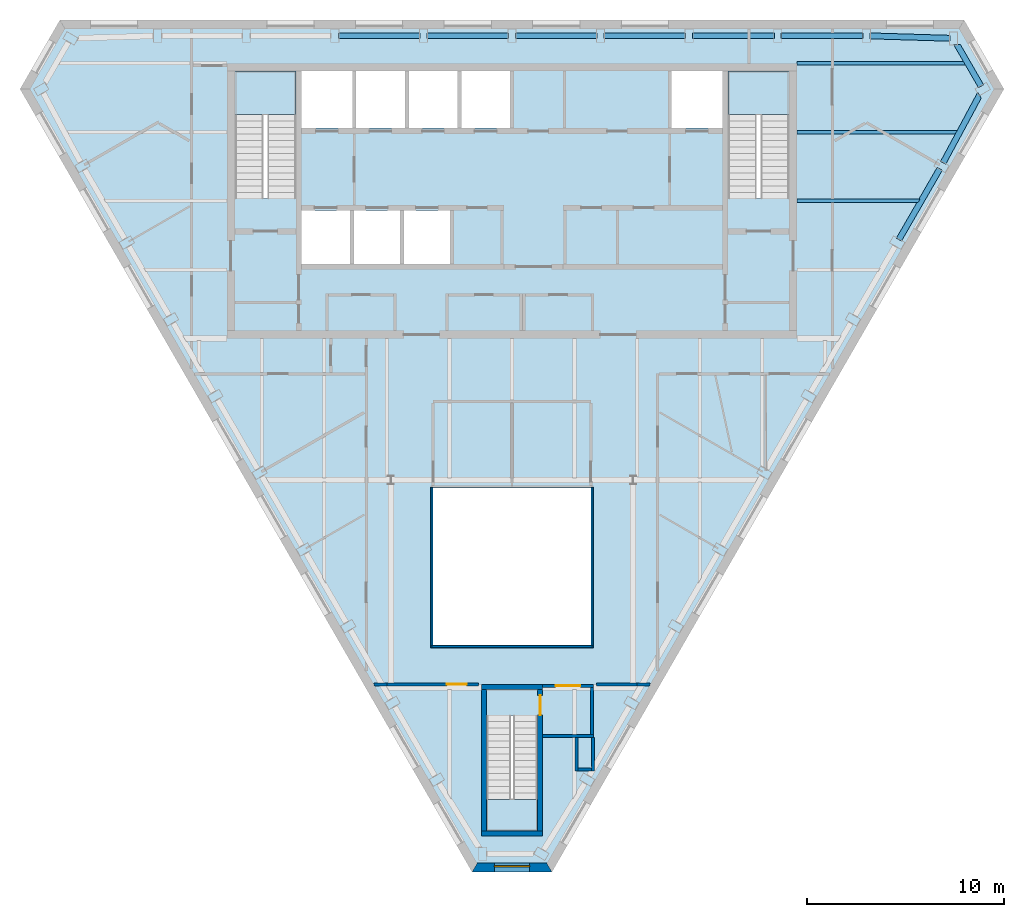
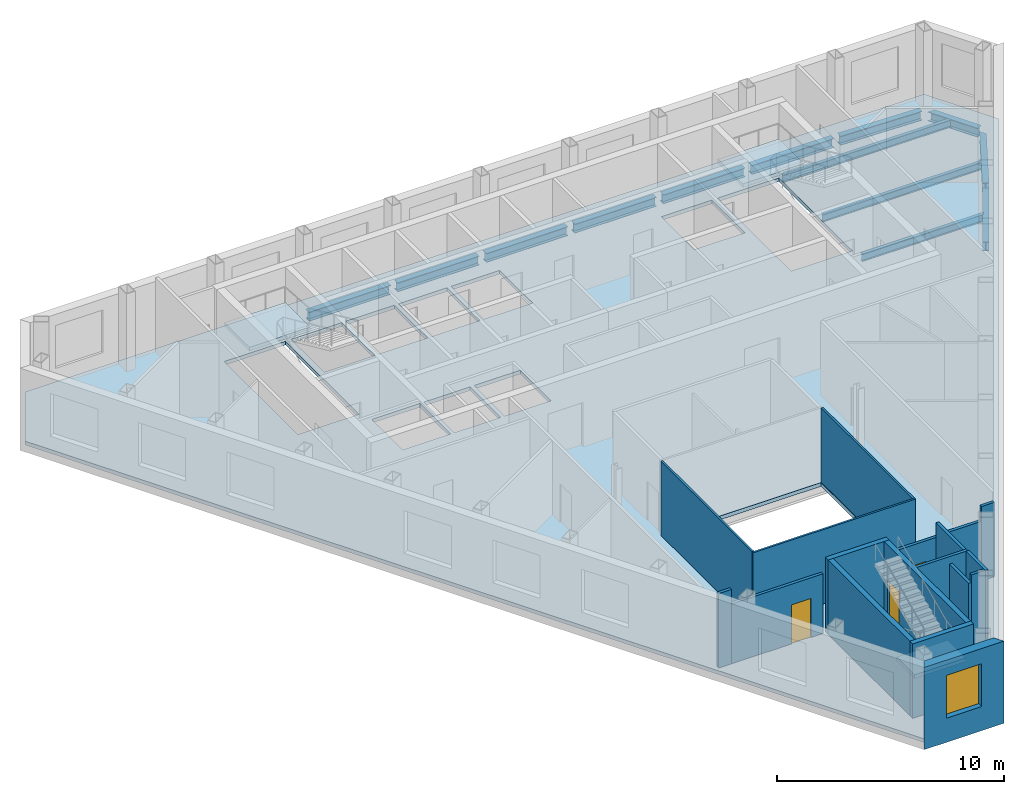
# One storey, part 3 of 10: 18 walls, 13 beams, 4 slabs, 3 doors, 1 window, 4 openings, 3 elements without a shape of their own.
"""IFC4 building model written with IfcOpenShell, lengths in metres."""

from ifc_helpers import new_model, si_unit, direction, frame, frame_2d, origin, origin_2d, place, context, subcontext, project, spatial, polyline, rectangle, i_section, outline, extrude, clip, halfspace, material, layer, layer_set, material_profile, profile_set, type_object, element, fill, aggregate, save


model = new_model("IFC4")

# Units and contexts
model_context = context("Model", 3, precision=1e-05, world=origin(), true_north=direction((0.0, 1.0)))
body_context = subcontext(model_context, "Body", "Model", "MODEL_VIEW")
ifc_project = project(units=[si_unit("LENGTHUNIT", "METRE"), si_unit("AREAUNIT", "SQUARE_METRE"), si_unit("VOLUMEUNIT", "CUBIC_METRE"), si_unit("PLANEANGLEUNIT", "RADIAN"), si_unit("MASSUNIT", "GRAM", prefix="KILO")], contexts=[model_context])

# Site, building, storey
site_placement = place(None, origin())
site = spatial("IfcSite", under=ifc_project, at=site_placement, CompositionType="ELEMENT")
building_placement = place(site_placement, origin())
building = spatial("IfcBuilding", under=site, at=building_placement, Name="Njiva Tower", CompositionType="ELEMENT")
storey_placement = place(building_placement, frame((0.0, 0.0, 333.6)))
storey = spatial("IfcBuildingStorey", under=building, at=storey_placement, Name="L76", CompositionType="ELEMENT", Elevation=333.6)

# Beams
ifc_material_1 = material(Name="Steel S355 J2", Category="steel")
ifc_material_profile_1 = material_profile(ifc_material_1, i_section(OverallWidth=0.3, OverallDepth=0.49, WebThickness=0.012, FlangeThickness=0.023, at=origin_2d()), Name="HEA 500")
ifc_profile_set_1 = profile_set([ifc_material_profile_1], Name="Steel S355 J2")
beam_type_1 = type_object("IfcBeamType", Name="B48 Short-span spandrel beam HEA 500", PredefinedType="SPANDREL", material=ifc_profile_set_1)
beam_1_placement = place(storey_placement, frame((22.277, 19.272, -0.445), z_axis=(-0.999544102072, 0.030192515853, 0.0), x_axis=(-0.030192515853, -0.999544102072, 0.0)))
element("IfcBeam", 1, at=beam_1_placement, inside=storey, type_object=beam_type_1, Name="Short-span spandrel beam S26-B109", PredefinedType="SPANDREL", context=body_context, shape_type="SweptSolid", body=[
    extrude(i_section(OverallWidth=0.3, OverallDepth=0.49, WebThickness=0.012, FlangeThickness=0.023, at=origin_2d()), origin(), (0.0, 0.0, 1.0), 4.0739),
])
beam_2_placement = place(storey_placement, frame((17.851, 19.4, -0.445), z_axis=(-1.0, 0.0, 0.0), x_axis=(0.0, -1.0, 0.0)))
element("IfcBeam", 2, at=beam_2_placement, inside=storey, type_object=beam_type_1, Name="Short-span spandrel beam S26-B104", PredefinedType="SPANDREL", context=body_context, shape_type="SweptSolid", body=[
    extrude(i_section(OverallWidth=0.3, OverallDepth=0.49, WebThickness=0.012, FlangeThickness=0.023, at=origin_2d()), origin(), (0.0, 0.0, 1.0), 4.156),
])
beam_3_placement = place(storey_placement, frame((13.345, 19.4, -0.445), z_axis=(-1.0, 0.0, 0.0), x_axis=(0.0, -1.0, 0.0)))
element("IfcBeam", 3, at=beam_3_placement, inside=storey, type_object=beam_type_1, Name="Short-span spandrel beam S26-B099", PredefinedType="SPANDREL", context=body_context, shape_type="SweptSolid", body=[
    extrude(i_section(OverallWidth=0.3, OverallDepth=0.49, WebThickness=0.012, FlangeThickness=0.023, at=origin_2d()), origin(), (0.0, 0.0, 1.0), 4.157),
])
beam_4_placement = place(storey_placement, frame((8.838, 19.4, -0.445), z_axis=(-1.0, 0.0, 0.0), x_axis=(0.0, -1.0, 0.0)))
element("IfcBeam", 4, at=beam_4_placement, inside=storey, type_object=beam_type_1, Name="Short-span spandrel beam S26-B094", PredefinedType="SPANDREL", context=body_context, shape_type="SweptSolid", body=[
    extrude(i_section(OverallWidth=0.3, OverallDepth=0.49, WebThickness=0.012, FlangeThickness=0.023, at=origin_2d()), origin(), (0.0, 0.0, 1.0), 4.156),
])
for number, where, z_axis, x_axis, name in (
    (5, (4.332, 19.4, -0.445), (-1.0, 0.0, 0.0), (0.0, -1.0, 0.0), "Short-span spandrel beam S26-B089"),
    (6, (-0.175, 19.4, -0.445), (-1.0, 0.0, 0.0), (0.0, -1.0, 0.0), "Short-span spandrel beam S26-B084"),
):
    element("IfcBeam", number, at=place(storey_placement, frame(where, z_axis=z_axis, x_axis=x_axis)), inside=storey, type_object=beam_type_1, Name=name, PredefinedType="SPANDREL", context=body_context, shape_type="SweptSolid", body=[
        extrude(i_section(OverallWidth=0.3, OverallDepth=0.49, WebThickness=0.012, FlangeThickness=0.023, at=origin_2d()), origin(), (0.0, 0.0, 1.0), 4.157),
    ])
beam_5_placement = place(storey_placement, frame((-4.682, 19.4, -0.445), z_axis=(-1.0, 0.0, 0.0), x_axis=(0.0, -1.0, 0.0)))
element("IfcBeam", 7, at=beam_5_placement, inside=storey, type_object=beam_type_1, Name="Short-span spandrel beam S26-B079", PredefinedType="SPANDREL", context=body_context, shape_type="SweptSolid", body=[
    extrude(i_section(OverallWidth=0.3, OverallDepth=0.49, WebThickness=0.012, FlangeThickness=0.023, at=origin_2d()), origin(), (0.0, 0.0, 1.0), 4.156),
])
beam_6_placement = place(storey_placement, frame((19.682, 9.03, -0.445), z_axis=(0.499916824138, 0.866073420066, 0.0), x_axis=(-0.866073420066, 0.499916824138, 0.0)))
element("IfcBeam", 8, at=beam_6_placement, inside=storey, type_object=beam_type_1, Name="Short-span spandrel beam S26-B111", PredefinedType="SPANDREL", context=body_context, shape_type="SweptSolid", body=[
    extrude(i_section(OverallWidth=0.3, OverallDepth=0.49, WebThickness=0.012, FlangeThickness=0.023, at=origin_2d()), origin(), (0.0, 0.0, 1.0), 4.1567),
])
beam_7_placement = place(storey_placement, frame((21.933, 12.939, -0.445), z_axis=(0.473778736284, 0.880643917282, 0.0), x_axis=(-0.880643917282, 0.473778736284, 0.0)))
element("IfcBeam", 9, at=beam_7_placement, inside=storey, type_object=beam_type_1, Name="Short-span spandrel beam S26-B113", PredefinedType="SPANDREL", context=body_context, shape_type="Clipping", body=[
    clip(extrude(i_section(OverallWidth=0.3, OverallDepth=0.49, WebThickness=0.012, FlangeThickness=0.023, at=origin_2d()), origin(), (0.0, 0.0, 1.0), 4.0136), halfspace(frame((-0.0261, 0.0, 3.8839), z_axis=(-0.525772590734, 0.0, 0.850625171761), x_axis=(0.0, 1.0, 0.0)), False)),
])
beam_8_placement = place(storey_placement, frame((23.86, 16.835, -0.445), z_axis=(-0.500027182209, 0.86600970956, 0.0), x_axis=(-0.86600970956, -0.500027182209, 0.0)))
element("IfcBeam", 10, at=beam_8_placement, inside=storey, type_object=beam_type_1, Name="Short-span spandrel beam S26-B114", PredefinedType="SPANDREL", context=body_context, shape_type="Clipping", body=[
    clip(extrude(i_section(OverallWidth=0.3, OverallDepth=0.49, WebThickness=0.012, FlangeThickness=0.023, at=origin_2d()), origin(), (0.0, 0.0, 1.0), 2.5689), halfspace(frame((-0.0254, 0.0, 2.4472), z_axis=(-0.500027182209, 0.0, 0.86600970956), x_axis=(0.0, 1.0, 0.0)), False)),
])
ifc_material_profile_2 = material_profile(ifc_material_1, i_section(OverallWidth=0.18, OverallDepth=0.4, WebThickness=0.0086, FlangeThickness=0.0135, at=origin_2d()), Name="IPE 400")
ifc_profile_set_2 = profile_set([ifc_material_profile_2], Name="Steel S355 J2")
beam_type_2 = type_object("IfcBeamType", Name="B51 Floor beam to the core IPE 400", PredefinedType="BEAM", material=ifc_profile_set_2)
beam_9_placement = place(storey_placement, frame((14.5, 11.0, -0.4), z_axis=(1.0, 0.0, 0.0), x_axis=(0.0, 1.0, 0.0)))
element("IfcBeam", 11, at=beam_9_placement, inside=storey, type_object=beam_type_2, Name="Floor beam to the core S26-B006", PredefinedType="BEAM", context=body_context, shape_type="Clipping", body=[
    clip(extrude(i_section(OverallWidth=0.18, OverallDepth=0.4, WebThickness=0.0086, FlangeThickness=0.0135, at=origin_2d()), origin(), (0.0, 0.0, 1.0), 6.276), halfspace(frame((-0.025, 0.0, 6.1897), z_axis=(-0.499998009787, 0.0, 0.866026552831), x_axis=(0.0, 1.0, 0.0)), False)),
])
beam_10_placement = place(storey_placement, frame((14.5, 14.5, -0.4), z_axis=(1.0, 0.0, 0.0), x_axis=(0.0, 1.0, 0.0)))
element("IfcBeam", 12, at=beam_10_placement, inside=storey, type_object=beam_type_2, Name="Floor beam to the core S26-B007", PredefinedType="BEAM", context=body_context, shape_type="Clipping", body=[
    clip(extrude(i_section(OverallWidth=0.18, OverallDepth=0.4, WebThickness=0.0086, FlangeThickness=0.0135, at=origin_2d()), origin(), (0.0, 0.0, 1.0), 8.227), halfspace(frame((-0.0237, 0.0, 8.1464), z_axis=(-0.47376166762, 0.0, 0.88065309986), x_axis=(0.0, 1.0, 0.0)), False)),
])
beam_11_placement = place(storey_placement, frame((14.5, 18.0, -0.4), z_axis=(1.0, 0.0, 0.0), x_axis=(0.0, 1.0, 0.0)))
element("IfcBeam", 13, at=beam_11_placement, inside=storey, type_object=beam_type_2, Name="Floor beam to the core S26-B008", PredefinedType="BEAM", context=body_context, shape_type="Clipping", body=[
    clip(extrude(i_section(OverallWidth=0.18, OverallDepth=0.4, WebThickness=0.0086, FlangeThickness=0.0135, at=origin_2d()), origin(), (0.0, 0.0, 1.0), 8.644), halfspace(frame((0.025, 0.0, 8.5578), z_axis=(0.499998009787, 0.0, 0.866026552831), x_axis=(0.0, 1.0, 0.0)), False)),
])

# Stair, slab
ifc_material_2 = material(Name="Concrete C40/50", Category="concrete")
stair_type_1 = type_object("IfcStairType", Name="ST3 Exit stair 1450", PredefinedType="HALF_TURN_STAIR", material=ifc_material_2)
stair_1_placement = place(storey_placement, origin())
stair_1 = element("IfcStair", 14, at=stair_1_placement, inside=storey, type_object=stair_type_1, Name="Stair A", PredefinedType="HALF_TURN_STAIR")
ifc_layer_1 = layer(ifc_material_2, 0.2)
ifc_layer_set_1 = layer_set([ifc_layer_1], Name="Concrete C40/50")
slab_type_1 = type_object("IfcSlabType", Name="FL9 Stair landing 200", PredefinedType="LANDING", material=ifc_layer_set_1)
slab_1_placement = place(storey_placement, frame((0.0, 0.0, 1.9)))
slab_1 = element("IfcSlab", 15, at=slab_1_placement, type_object=slab_type_1, Name="ST-A landing 1", PredefinedType="LANDING", context=body_context, shape_type="SweptSolid", body=[
    extrude(outline(polyline([(-14.106, 15.39), (-10.994, 15.39), (-10.994, 17.6), (-14.106, 17.6), (-14.106, 15.39)])), origin(), (0.0, 0.0, 1.0), 0.2),
])
aggregate(stair_1, [slab_1])

stair_2_placement = place(storey_placement, origin())
stair_2 = element("IfcStair", 16, at=stair_2_placement, inside=storey, type_object=stair_type_1, Name="Stair B", PredefinedType="HALF_TURN_STAIR")
slab_2_placement = place(storey_placement, frame((0.0, 0.0, 1.9)))
slab_2 = element("IfcSlab", 17, at=slab_2_placement, type_object=slab_type_1, Name="ST-B landing 1", PredefinedType="LANDING", context=body_context, shape_type="SweptSolid", body=[
    extrude(outline(polyline([(10.994, 15.39), (14.106, 15.39), (14.106, 17.6), (10.994, 17.6), (10.994, 15.39)])), origin(), (0.0, 0.0, 1.0), 0.2),
])
aggregate(stair_2, [slab_2])

stair_type_2 = type_object("IfcStairType", Name="ST1 Exit stair 1250", PredefinedType="HALF_TURN_STAIR", material=ifc_material_2)
stair_3_placement = place(storey_placement, origin())
stair_3 = element("IfcStair", 18, at=stair_3_placement, inside=storey, type_object=stair_type_2, Name="Stair C", PredefinedType="HALF_TURN_STAIR")
slab_3_placement = place(storey_placement, frame((0.0, 0.0, 1.9)))
slab_3 = element("IfcSlab", 19, at=slab_3_placement, type_object=slab_type_1, Name="ST-C landing 1", PredefinedType="LANDING", context=body_context, shape_type="SweptSolid", body=[
    extrude(outline(polyline([(-1.306, -21.05), (1.306, -21.05), (1.306, -19.45), (-1.306, -19.45), (-1.306, -21.05)])), origin(), (0.0, 0.0, 1.0), 0.2),
])
aggregate(stair_3, [slab_3])

# Slab
ifc_material_3 = material(Name="Concrete C30/37", Category="concrete")
ifc_layer_2 = layer(ifc_material_3, 0.2)
ifc_layer_set_2 = layer_set([ifc_layer_2], Name="Concrete C30/37")
slab_type_2 = type_object("IfcSlabType", Name="SL16 Composite floor slab 200", PredefinedType="FLOOR", material=ifc_layer_set_2)
slab_4_placement = place(storey_placement, frame((0.0, 0.0, -0.2)))
element("IfcSlab", 20, at=slab_4_placement, inside=storey, type_object=slab_type_2, Name="Floor slab L76", PredefinedType="FLOOR", context=body_context, shape_type="SweptSolid", body=[
    extrude(outline(polyline([(24.7652, 16.6839), (1.9001, -22.9196), (-1.9001, -22.9196), (-24.7652, 16.6839), (-22.8651, 19.975), (22.8651, 19.975), (24.7652, 16.6839)]), holes=[polyline([(10.994, 11.13), (14.106, 11.13), (14.106, 17.6), (10.994, 17.6), (10.994, 11.13)]), polyline([(8.125, 14.7), (10.7, 14.7), (10.7, 17.6), (8.125, 17.6), (8.125, 14.7)]), polyline([(4.01, -11.6), (4.01, -3.6), (-4.01, -3.6), (-4.01, -11.6), (4.01, -11.6)]), polyline([(1.306, -21.05), (1.306, -15.19), (-1.306, -15.19), (-1.306, -21.05), (1.306, -21.05)]), polyline([(-2.575, 14.7), (-0.1, 14.7), (-0.1, 17.6), (-2.575, 17.6), (-2.575, 14.7)]), polyline([(-2.775, 14.7), (-2.775, 17.6), (-5.25, 17.6), (-5.25, 14.7), (-2.775, 14.7)]), polyline([(-5.5, 7.8), (-3.15, 7.8), (-3.15, 10.5), (-5.5, 10.5), (-5.5, 7.8)]), polyline([(-7.925, 14.7), (-5.45, 14.7), (-5.45, 17.6), (-7.925, 17.6), (-7.925, 14.7)]), polyline([(-8.05, 7.8), (-5.7, 7.8), (-5.7, 10.5), (-8.05, 10.5), (-8.05, 7.8)]), polyline([(-10.7, 14.7), (-8.125, 14.7), (-8.125, 17.6), (-10.7, 17.6), (-10.7, 14.7)]), polyline([(-8.25, 7.8), (-8.25, 10.5), (-10.7, 10.5), (-10.7, 7.8), (-8.25, 7.8)]), polyline([(-10.994, 11.13), (-10.994, 17.6), (-14.106, 17.6), (-14.106, 11.13), (-10.994, 11.13)])]), origin(), (0.0, 0.0, 1.0), 0.2),
])

# Wall
ifc_material_4 = material(Name="Gypsum board on steel studs", Category="gypsum")
ifc_layer_3 = layer(ifc_material_4, 0.15)
ifc_layer_set_3 = layer_set([ifc_layer_3], Name="Gypsum board on steel studs")
wall_type_1 = type_object("IfcWallType", Name="WT21 Compartment wall 150", PredefinedType="PARTITIONING", material=ifc_layer_set_3)
wall_1_placement = place(storey_placement, frame((-7.021, -13.6, 0.0), z_axis=(0.0, 0.0, 1.0), x_axis=(1.0, 0.0, 0.0)))
element("IfcWall", 21, at=wall_1_placement, inside=storey, type_object=wall_type_1, Name="Partition S26-P011", PredefinedType="PARTITIONING", context=body_context, shape_type="SweptSolid", body=[
    extrude(rectangle(XDim=0.661, YDim=0.15, at=frame_2d((0.3305, 0.0))), origin(), (0.0, 0.0, 1.0), 4.0),
])

# Wall, opening, door
wall_2_placement = place(storey_placement, frame((-6.36, -13.6, 0.0), z_axis=(0.0, 0.0, 1.0), x_axis=(1.0, 0.0, 0.0)))
wall_2 = element("IfcWall", 22, at=wall_2_placement, inside=storey, type_object=wall_type_1, Name="Partition S26-P011A", PredefinedType="PARTITIONING", context=body_context, shape_type="SweptSolid", body=[
    extrude(rectangle(XDim=4.66, YDim=0.15, at=frame_2d((2.33, 0.0))), origin(), (0.0, 0.0, 1.0), 3.21),
])
opening_1_placement = place(wall_2_placement, frame((3.05, 0.0, 0.0)))
opening_1 = element("IfcOpeningElement", 23, at=opening_1_placement, cuts=wall_2, Name="Opening S26-D010", PredefinedType="OPENING", context=body_context, shape_type="SweptSolid", body=[
    extrude(rectangle(XDim=1.0, YDim=2.1, at=frame_2d((0.5, 1.05))), frame((0.0, 0.085, 0.0), z_axis=(0.0, -1.0, 0.0), x_axis=(1.0, 0.0, 0.0)), (0.0, 0.0, 1.0), 0.17),
])
ifc_material_5 = material(Name="Steel fire door set", Category="steel")
door_type_1 = type_object("IfcDoorType", Name="D37 Fire door 1000x2100", OperationType="SINGLE_SWING_LEFT", PredefinedType="DOOR", material=ifc_material_5)
door_1_placement = place(opening_1_placement, origin())
door_1 = element("IfcDoor", 24, at=door_1_placement, inside=storey, type_object=door_type_1, Name="Door S26-D010", OperationType="SINGLE_SWING_RIGHT", OverallHeight=2.1, OverallWidth=1.0, PredefinedType="DOOR", context=body_context, shape_type="SweptSolid", body=[
    extrude(rectangle(XDim=1.0, YDim=2.1, at=frame_2d((0.5, 1.05))), frame((0.0, 0.025, 0.0), z_axis=(0.0, -1.0, 0.0), x_axis=(1.0, 0.0, 0.0)), (0.0, 0.0, 1.0), 0.05),
])
fill(opening_1, door_1)

# Walls
wall_3_placement = place(storey_placement, frame((4.3, -13.6, 0.0), z_axis=(0.0, 0.0, 1.0), x_axis=(1.0, 0.0, 0.0)))
element("IfcWall", 25, at=wall_3_placement, inside=storey, type_object=wall_type_1, Name="Partition S26-P016", PredefinedType="PARTITIONING", context=body_context, shape_type="SweptSolid", body=[
    extrude(rectangle(XDim=2.06, YDim=0.15, at=frame_2d((1.03, 0.0))), origin(), (0.0, 0.0, 1.0), 3.21),
])
wall_4_placement = place(storey_placement, frame((6.36, -13.6, 0.0), z_axis=(0.0, 0.0, 1.0), x_axis=(1.0, 0.0, 0.0)))
element("IfcWall", 26, at=wall_4_placement, inside=storey, type_object=wall_type_1, Name="Partition S26-P016A", PredefinedType="PARTITIONING", context=body_context, shape_type="SweptSolid", body=[
    extrude(rectangle(XDim=0.661, YDim=0.15, at=frame_2d((0.3305, 0.0))), origin(), (0.0, 0.0, 1.0), 4.0),
])
ifc_material_6 = material(Name="Blockwork", Category="masonry")
ifc_layer_4 = layer(ifc_material_6, 0.15)
ifc_layer_set_4 = layer_set([ifc_layer_4], Name="Blockwork")
wall_type_2 = type_object("IfcWallType", Name="WT4 Stair partition 150", PredefinedType="PARTITIONING", material=ifc_layer_set_4)
wall_5_placement = place(storey_placement, frame((1.55, -16.225, 0.0), z_axis=(0.0, 0.0, 1.0), x_axis=(1.0, 0.0, 0.0)))
element("IfcWall", 27, at=wall_5_placement, inside=storey, type_object=wall_type_2, Name="Stair C vestibule wall south", PredefinedType="PARTITIONING", context=body_context, shape_type="SweptSolid", body=[
    extrude(rectangle(XDim=2.6, YDim=0.15, at=frame_2d((1.3, 0.0))), origin(), (0.0, 0.0, 1.0), 4.0),
])
wall_6_placement = place(storey_placement, frame((4.075, -16.15, 0.0), z_axis=(0.0, 0.0, 1.0), x_axis=(0.0, 1.0, 0.0)))
element("IfcWall", 28, at=wall_6_placement, inside=storey, type_object=wall_type_2, Name="Stair C vestibule wall east", PredefinedType="PARTITIONING", context=body_context, shape_type="SweptSolid", body=[
    extrude(rectangle(XDim=2.4, YDim=0.15, at=frame_2d((1.2, 0.0))), origin(), (0.0, 0.0, 1.0), 4.0),
])

# Wall, opening, door
wall_7_placement = place(storey_placement, frame((1.55, -13.675, 0.0), z_axis=(0.0, 0.0, 1.0), x_axis=(1.0, 0.0, 0.0)))
wall_7 = element("IfcWall", 29, at=wall_7_placement, inside=storey, type_object=wall_type_2, Name="Stair C vestibule wall north", PredefinedType="PARTITIONING", context=body_context, shape_type="SweptSolid", body=[
    extrude(rectangle(XDim=2.6, YDim=0.15, at=frame_2d((1.3, 0.0))), origin(), (0.0, 0.0, 1.0), 3.21),
])
opening_2_placement = place(wall_7_placement, frame((0.675, 0.0, 0.0)))
opening_2 = element("IfcOpeningElement", 30, at=opening_2_placement, cuts=wall_7, Name="Opening S26-D931", PredefinedType="OPENING", context=body_context, shape_type="SweptSolid", body=[
    extrude(rectangle(XDim=1.25, YDim=2.1, at=frame_2d((0.625, 1.05))), frame((0.0, 0.085, 0.0), z_axis=(0.0, -1.0, 0.0), x_axis=(1.0, 0.0, 0.0)), (0.0, 0.0, 1.0), 0.17),
])
ifc_material_7 = material(Name="Glazed steel fire door", Category="steel")
door_type_2 = type_object("IfcDoorType", Name="D8 Vestibule corridor door 1250x2100 glazed", OperationType="SINGLE_SWING_LEFT", PredefinedType="DOOR", material=ifc_material_7)
door_2_placement = place(opening_2_placement, origin())
door_2 = element("IfcDoor", 31, at=door_2_placement, inside=storey, type_object=door_type_2, Name="Stair vestibule corridor door", OperationType="SINGLE_SWING_RIGHT", OverallHeight=2.1, OverallWidth=1.25, PredefinedType="DOOR", context=body_context, shape_type="SweptSolid", body=[
    extrude(rectangle(XDim=1.25, YDim=2.1, at=frame_2d((0.625, 1.05))), frame((0.0, 0.025, 0.0), z_axis=(0.0, -1.0, 0.0), x_axis=(1.0, 0.0, 0.0)), (0.0, 0.0, 1.0), 0.05),
])
fill(opening_2, door_2)

# Walls
wall_8_placement = place(storey_placement, frame((3.275, -18.0, 0.0), z_axis=(0.0, 0.0, 1.0), x_axis=(0.0, 1.0, 0.0)))
element("IfcWall", 32, at=wall_8_placement, inside=storey, type_object=wall_type_2, Name="Stair C pressurisation shaft wall", PredefinedType="PARTITIONING", context=body_context, shape_type="SweptSolid", body=[
    extrude(rectangle(XDim=1.7, YDim=0.15, at=frame_2d((0.85, 0.0))), origin(), (0.0, 0.0, 1.0), 3.6),
])
wall_9_placement = place(storey_placement, frame((3.35, -17.925, 0.0), z_axis=(0.0, 0.0, 1.0), x_axis=(1.0, 0.0, 0.0)))
element("IfcWall", 33, at=wall_9_placement, inside=storey, type_object=wall_type_2, Name="Stair C pressurisation shaft wall", PredefinedType="PARTITIONING", context=body_context, shape_type="SweptSolid", body=[
    extrude(rectangle(XDim=0.7, YDim=0.15, at=frame_2d((0.35, 0.0))), origin(), (0.0, 0.0, 1.0), 4.0),
])
wall_10_placement = place(storey_placement, frame((4.125, -18.0, 0.0), z_axis=(0.0, 0.0, 1.0), x_axis=(0.0, 1.0, 0.0)))
element("IfcWall", 34, at=wall_10_placement, inside=storey, type_object=wall_type_2, Name="Stair C pressurisation shaft wall", PredefinedType="PARTITIONING", context=body_context, shape_type="SweptSolid", body=[
    extrude(rectangle(XDim=1.7, YDim=0.15, at=frame_2d((0.85, 0.0))), origin(), (0.0, 0.0, 1.0), 4.0),
])
ifc_layer_5 = layer(ifc_material_2, 0.25)
ifc_layer_set_5 = layer_set([ifc_layer_5], Name="Concrete C40/50")
wall_type_3 = type_object("IfcWallType", Name="WT9 Stair enclosure wall 250", PredefinedType="SHEAR", material=ifc_layer_set_5)
wall_11_placement = place(storey_placement, frame((-1.425, -21.05, 0.0), z_axis=(0.0, 0.0, 1.0), x_axis=(0.0, 1.0, 0.0)))
element("IfcWall", 35, at=wall_11_placement, inside=storey, type_object=wall_type_3, Name="Stair C wall west", PredefinedType="SHEAR", context=body_context, shape_type="SweptSolid", body=[
    extrude(rectangle(XDim=7.2, YDim=0.25, at=frame_2d((3.6, 0.0))), origin(), (0.0, 0.0, 1.0), 4.0),
])

# Wall, opening, door
wall_12_placement = place(storey_placement, frame((1.425, -21.05, 0.0), z_axis=(0.0, 0.0, 1.0), x_axis=(0.0, 1.0, 0.0)))
wall_12 = element("IfcWall", 36, at=wall_12_placement, inside=storey, type_object=wall_type_3, Name="Stair C wall east", PredefinedType="SHEAR", context=body_context, shape_type="SweptSolid", body=[
    extrude(rectangle(XDim=7.2, YDim=0.25, at=frame_2d((3.6, 0.0))), origin(), (0.0, 0.0, 1.0), 4.0),
])
opening_3_placement = place(wall_12_placement, frame((5.89, 0.0, 0.0)))
opening_3 = element("IfcOpeningElement", 37, at=opening_3_placement, cuts=wall_12, Name="Opening S26-D930", PredefinedType="OPENING", context=body_context, shape_type="SweptSolid", body=[
    extrude(rectangle(XDim=1.0, YDim=2.1, at=frame_2d((0.5, 1.05))), frame((0.0, 0.135, 0.0), z_axis=(0.0, -1.0, 0.0), x_axis=(1.0, 0.0, 0.0)), (0.0, 0.0, 1.0), 0.27),
])
door_type_3 = type_object("IfcDoorType", Name="D9 Stair vestibule door 1000x2100 glazed", OperationType="SINGLE_SWING_LEFT", PredefinedType="DOOR", material=ifc_material_7)
door_3_placement = place(opening_3_placement, origin())
door_3 = element("IfcDoor", 38, at=door_3_placement, inside=storey, type_object=door_type_3, Name="Stair C door", OperationType="SINGLE_SWING_LEFT", OverallHeight=2.1, OverallWidth=1.0, PredefinedType="DOOR", context=body_context, shape_type="SweptSolid", body=[
    extrude(rectangle(XDim=1.0, YDim=2.1, at=frame_2d((0.5, 1.05))), frame((0.0, 0.025, 0.0), z_axis=(0.0, -1.0, 0.0), x_axis=(1.0, 0.0, 0.0)), (0.0, 0.0, 1.0), 0.05),
])
fill(opening_3, door_3)

# Walls
for number, where, z_axis, x_axis, name in (
    (39, (-1.55, -21.175, 0.0), (0.0, 0.0, 1.0), (1.0, 0.0, 0.0), "Stair C wall south"),
    (40, (-1.55, -13.725, 0.0), (0.0, 0.0, 1.0), (1.0, 0.0, 0.0), "Stair C wall north"),
):
    element("IfcWall", number, at=place(storey_placement, frame(where, z_axis=z_axis, x_axis=x_axis)), inside=storey, type_object=wall_type_3, Name=name, PredefinedType="SHEAR", context=body_context, shape_type="SweptSolid", body=[
        extrude(rectangle(XDim=3.1, YDim=0.25, at=frame_2d((1.55, 0.0))), origin(), (0.0, 0.0, 1.0), 4.0),
    ])

# Wall, opening, window
ifc_material_8 = material(Name="Brick masonry, buff", Category="masonry")
ifc_layer_6 = layer(ifc_material_8, 0.45)
ifc_layer_set_6 = layer_set([ifc_layer_6], Name="Brick masonry, buff")
wall_type_4 = type_object("IfcWallType", Name="WT94 Brick pier and spandrel wall 450, buff", PredefinedType="SOLIDWALL", material=ifc_layer_set_6)
wall_13_placement = place(storey_placement, frame((-1.9001, -22.9196, -0.4), z_axis=(0.0, 0.0, 1.0), x_axis=(1.0, 0.0, 0.0)))
wall_13 = element("IfcWall", 41, at=wall_13_placement, inside=storey, type_object=wall_type_4, Name="Facade wall S", PredefinedType="SOLIDWALL", context=body_context, shape_type="SweptSolid", body=[
    extrude(outline(polyline([(-0.1299, -0.225), (3.9301, -0.225), (3.6703, 0.225), (0.1299, 0.225), (-0.1299, -0.225)])), origin(), (0.0, 0.0, 1.0), 4.42),
])
opening_4_placement = place(wall_13_placement, frame((1.0001, 0.0, 1.3)))
opening_4 = element("IfcOpeningElement", 42, at=opening_4_placement, cuts=wall_13, Name="Opening S26-W17", PredefinedType="OPENING", context=body_context, shape_type="SweptSolid", body=[
    extrude(rectangle(XDim=1.8, YDim=2.3, at=frame_2d((0.9, 1.15))), frame((0.0, 0.235, 0.0), z_axis=(0.0, -1.0, 0.0), x_axis=(1.0, 0.0, 0.0)), (0.0, 0.0, 1.0), 0.47),
])
ifc_material_9 = material(Name="Clear glazing in aluminium frame", Category="aluminium")
window_type = type_object("IfcWindowType", Name="W95 Deep-set window 1800x2300", PartitioningType="SINGLE_PANEL", PredefinedType="WINDOW", material=ifc_material_9)
window_placement = place(opening_4_placement, origin())
window = element("IfcWindow", 43, at=window_placement, inside=storey, type_object=window_type, Name="Window", OverallHeight=2.3, OverallWidth=1.8, PartitioningType="SINGLE_PANEL", PredefinedType="WINDOW", context=body_context, shape_type="SweptSolid", body=[
    extrude(rectangle(XDim=1.8, YDim=2.3, at=frame_2d((0.9, 1.15))), frame((0.0, 0.105, 0.0), z_axis=(0.0, -1.0, 0.0), x_axis=(1.0, 0.0, 0.0)), (0.0, 0.0, 1.0), 0.06),
])
fill(opening_4, window)

# Walls
ifc_material_10 = material(Name="Fire-resisting glazing EI 90", Category="glass")
ifc_layer_7 = layer(ifc_material_10, 0.1)
ifc_layer_set_7 = layer_set([ifc_layer_7], Name="Fire-resisting glazing EI 90")
wall_type_5 = type_object("IfcWallType", Name="WT95 Fire-resisting glazed screen EI 90", PredefinedType="PARTITIONING", material=ifc_layer_set_7)
wall_14_placement = place(storey_placement, frame((-4.13, -11.67, 0.0), z_axis=(0.0, 0.0, 1.0), x_axis=(1.0, 0.0, 0.0)))
element("IfcWall", 44, at=wall_14_placement, inside=storey, type_object=wall_type_5, Name="Atrium fire screen south", PredefinedType="PARTITIONING", context=body_context, shape_type="SweptSolid", body=[
    extrude(rectangle(XDim=8.26, YDim=0.1, at=frame_2d((4.13, 0.0))), origin(), (0.0, 0.0, 1.0), 4.0),
])
for number, where, z_axis, x_axis, name in (
    (45, (4.08, -11.62, 0.0), (0.0, 0.0, 1.0), (0.0, 1.0, 0.0), "Atrium fire screen east"),
    (46, (-4.08, -3.58, 0.0), (0.0, 0.0, 1.0), (0.0, -1.0, 0.0), "Atrium fire screen west"),
):
    element("IfcWall", number, at=place(storey_placement, frame(where, z_axis=z_axis, x_axis=x_axis)), inside=storey, type_object=wall_type_5, Name=name, PredefinedType="PARTITIONING", context=body_context, shape_type="SweptSolid", body=[
        extrude(rectangle(XDim=8.04, YDim=0.1, at=frame_2d((4.02, 0.0))), origin(), (0.0, 0.0, 1.0), 4.0),
    ])

save(model, "model.ifc")
